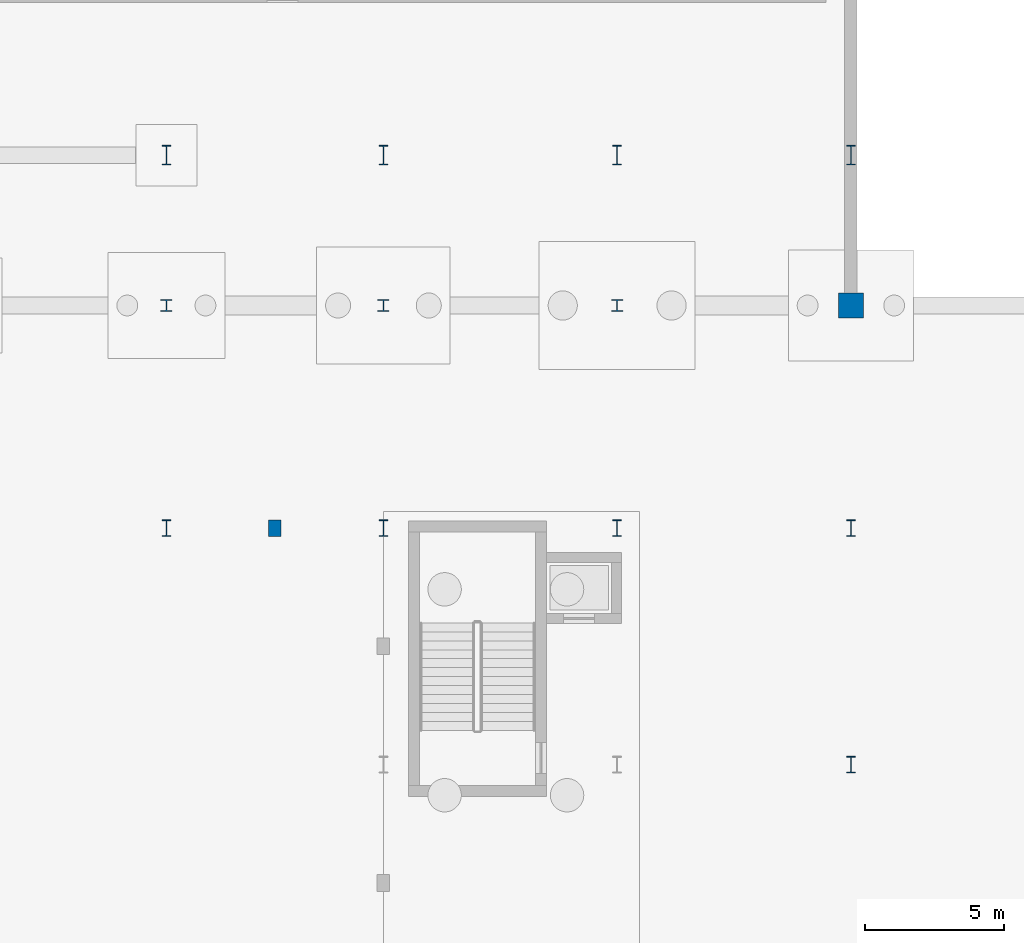
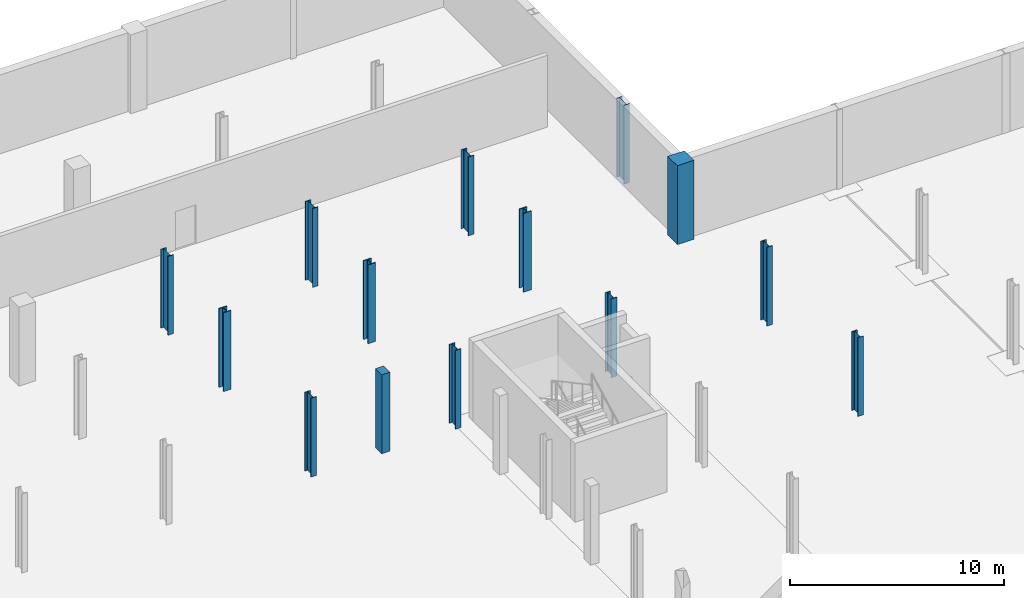
# One storey, part 15 of 45: 14 columns.
"""IFC4 building model written with IfcOpenShell, lengths in metres."""

from ifc_helpers import new_model, si_unit, direction, frame, origin, origin_2d, place, context, subcontext, project, spatial, rectangle, i_section, extrude, material, material_profile, profile_set, type_object, element, save


model = new_model("IFC4")

# Units and contexts
model_context = context("Model", 3, precision=1e-05, world=origin(), true_north=direction((0.0, 1.0)))
body_context = subcontext(model_context, "Body", "Model", "MODEL_VIEW")
ifc_project = project(units=[si_unit("LENGTHUNIT", "METRE"), si_unit("AREAUNIT", "SQUARE_METRE"), si_unit("VOLUMEUNIT", "CUBIC_METRE"), si_unit("PLANEANGLEUNIT", "RADIAN"), si_unit("MASSUNIT", "GRAM", prefix="KILO")], contexts=[model_context])

# Site, building, storey
site_placement = place(None, origin())
site = spatial("IfcSite", under=ifc_project, at=site_placement, CompositionType="ELEMENT")
building_placement = place(site_placement, origin())
building = spatial("IfcBuilding", under=site, at=building_placement, Name="Sefraquen Railside Congress Hotel", CompositionType="ELEMENT")
storey_placement = place(building_placement, frame((0.0, 0.0, -4.5)))
storey = spatial("IfcBuildingStorey", under=building, at=storey_placement, Name="B01", CompositionType="ELEMENT", Elevation=-4.5)

# Columns
ifc_material_1 = material(Name="Steel S355J2", Category="steel")
ifc_material_profile_1 = material_profile(ifc_material_1, i_section(OverallWidth=0.416015625, OverallDepth=0.446044921875, WebThickness=0.035888671875, FlangeThickness=0.048095703125, FilletRadius=0.014892578125, at=origin_2d()), Name="HD 400x509")
ifc_profile_set_1 = profile_set([ifc_material_profile_1], Name="Steel S355J2")
column_type_1 = type_object("IfcColumnType", Name="TC-HD-509", PredefinedType="COLUMN", material=ifc_profile_set_1)
for number, where, z_axis, x_axis, name in (
    (1, (95.39990234375, 96.0, 0.0), (0.0, 0.0, 1.0), (1.0, 0.0, 0.0), "Structural column 13-M B01"),
    (2, (103.199951171875, 96.0, 0.0), (0.0, 0.0, 1.0), (1.0, 0.0, 0.0), "Structural column 14-M B01"),
    (3, (111.60009765625, 96.0, 0.0), (0.0, 0.0, 1.0), (1.0, 0.0, 0.0), "Structural column 15-M B01"),
):
    element("IfcColumn", number, at=place(storey_placement, frame(where, z_axis=z_axis, x_axis=x_axis)), inside=storey, type_object=column_type_1, Name=name, PredefinedType="COLUMN", context=body_context, shape_type="SweptSolid", body=[
        extrude(i_section(OverallWidth=0.416015625, OverallDepth=0.446044921875, WebThickness=0.035888671875, FlangeThickness=0.048095703125, FilletRadius=0.014892578125, at=origin_2d()), origin(), (0.0, 0.0, 1.0), 4.5),
    ])
ifc_material_2 = material(Name="Steel S355JR", Category="steel")
ifc_material_profile_2 = material_profile(ifc_material_2, i_section(OverallWidth=0.300048828125, OverallDepth=0.60009765625, WebThickness=0.015380859375, FlangeThickness=0.030029296875, FilletRadius=0.027099609375, at=origin_2d()), Name="HEB 600")
ifc_profile_set_2 = profile_set([ifc_material_profile_2], Name="Steel S355JR")
column_type_2 = type_object("IfcColumnType", Name="TC-HEB-600", PredefinedType="COLUMN", material=ifc_profile_set_2)
for number, where, z_axis, x_axis, name in (
    (4, (95.39990234375, 88.0, 0.0), (0.0, 0.0, 1.0), (1.0, 0.0, 0.0), "Structural column 13-L B01"),
    (5, (103.199951171875, 88.0, 0.0), (0.0, 0.0, 1.0), (1.0, 0.0, 0.0), "Structural column 14-L B01"),
    (6, (111.60009765625, 88.0, 0.0), (0.0, 0.0, 1.0), (1.0, 0.0, 0.0), "Structural column 15-L B01"),
    (7, (120.0, 79.5, 0.0), (0.0, 0.0, 1.0), (1.0, 0.0, 0.0), "Structural column 16-K B01"),
    (8, (120.0, 88.0, 0.0), (0.0, 0.0, 1.0), (1.0, 0.0, 0.0), "Structural column 16-L B01"),
):
    element("IfcColumn", number, at=place(storey_placement, frame(where, z_axis=z_axis, x_axis=x_axis)), inside=storey, type_object=column_type_2, Name=name, PredefinedType="COLUMN", context=body_context, shape_type="SweptSolid", body=[
        extrude(i_section(OverallWidth=0.300048828125, OverallDepth=0.60009765625, WebThickness=0.015380859375, FlangeThickness=0.030029296875, FilletRadius=0.027099609375, at=origin_2d()), origin(), (0.0, 0.0, 1.0), 4.5),
    ])
ifc_material_profile_3 = material_profile(ifc_material_2, i_section(OverallWidth=0.300048828125, OverallDepth=0.699951171875, WebThickness=0.01708984375, FlangeThickness=0.031982421875, FilletRadius=0.027099609375, at=origin_2d()), Name="HEB 700")
ifc_profile_set_3 = profile_set([ifc_material_profile_3], Name="Steel S355JR")
column_type_3 = type_object("IfcColumnType", Name="TC-HEB-700", PredefinedType="COLUMN", material=ifc_profile_set_3)
for number, where, z_axis, x_axis, name in (
    (9, (95.39990234375, 101.39990234375, 0.0), (0.0, 0.0, 1.0), (1.0, 0.0, 0.0), "Structural column 13-N B01"),
    (10, (103.199951171875, 101.39990234375, 0.0), (0.0, 0.0, 1.0), (1.0, 0.0, 0.0), "Structural column 14-N B01"),
    (11, (111.60009765625, 101.39990234375, 0.0), (0.0, 0.0, 1.0), (1.0, 0.0, 0.0), "Structural column 15-N B01"),
    (12, (120.0, 101.39990234375, 0.0), (0.0, 0.0, 1.0), (1.0, 0.0, 0.0), "Structural column 16-N B01"),
):
    element("IfcColumn", number, at=place(storey_placement, frame(where, z_axis=z_axis, x_axis=x_axis)), inside=storey, type_object=column_type_3, Name=name, PredefinedType="COLUMN", context=body_context, shape_type="SweptSolid", body=[
        extrude(i_section(OverallWidth=0.300048828125, OverallDepth=0.699951171875, WebThickness=0.01708984375, FlangeThickness=0.031982421875, FilletRadius=0.027099609375, at=origin_2d()), origin(), (0.0, 0.0, 1.0), 4.5),
    ])
ifc_material_3 = material(Name="Concrete C50/60", Category="concrete")
ifc_material_profile_4 = material_profile(ifc_material_3, rectangle(XDim=0.449951171875, YDim=0.60009765625, at=origin_2d()), Name="RC 600x450")
ifc_profile_set_4 = profile_set([ifc_material_profile_4], Name="Concrete C50/60")
column_type_4 = type_object("IfcColumnType", Name="TC-PIL-600", PredefinedType="PILASTER", material=ifc_profile_set_4)
column_1_placement = place(storey_placement, frame((99.300048828125, 88.0, 0.0), z_axis=(0.0, 0.0, 1.0), x_axis=(1.0, 0.0, 0.0)))
element("IfcColumn", 13, at=column_1_placement, inside=storey, type_object=column_type_4, Name="Courtyard limestone pilaster CPIL-N3 B01", PredefinedType="PILASTER", context=body_context, shape_type="SweptSolid", body=[
    extrude(rectangle(XDim=0.449951171875, YDim=0.60009765625, at=origin_2d()), origin(), (0.0, 0.0, 1.0), 4.5),
])
ifc_material_profile_5 = material_profile(ifc_material_3, rectangle(XDim=0.89990234375, YDim=0.89990234375, at=origin_2d()), Name="RC 900x900")
ifc_profile_set_5 = profile_set([ifc_material_profile_5], Name="Concrete C50/60")
column_type_5 = type_object("IfcColumnType", Name="TC-RC-900", PredefinedType="COLUMN", material=ifc_profile_set_5)
column_2_placement = place(storey_placement, frame((120.0, 96.0, 0.0), z_axis=(0.0, 0.0, 1.0), x_axis=(1.0, 0.0, 0.0)))
element("IfcColumn", 14, at=column_2_placement, inside=storey, type_object=column_type_5, Name="Structural column 16-M B01", PredefinedType="COLUMN", context=body_context, shape_type="SweptSolid", body=[
    extrude(rectangle(XDim=0.89990234375, YDim=0.89990234375, at=origin_2d()), origin(), (0.0, 0.0, 1.0), 4.5),
])

save(model, "model.ifc")
